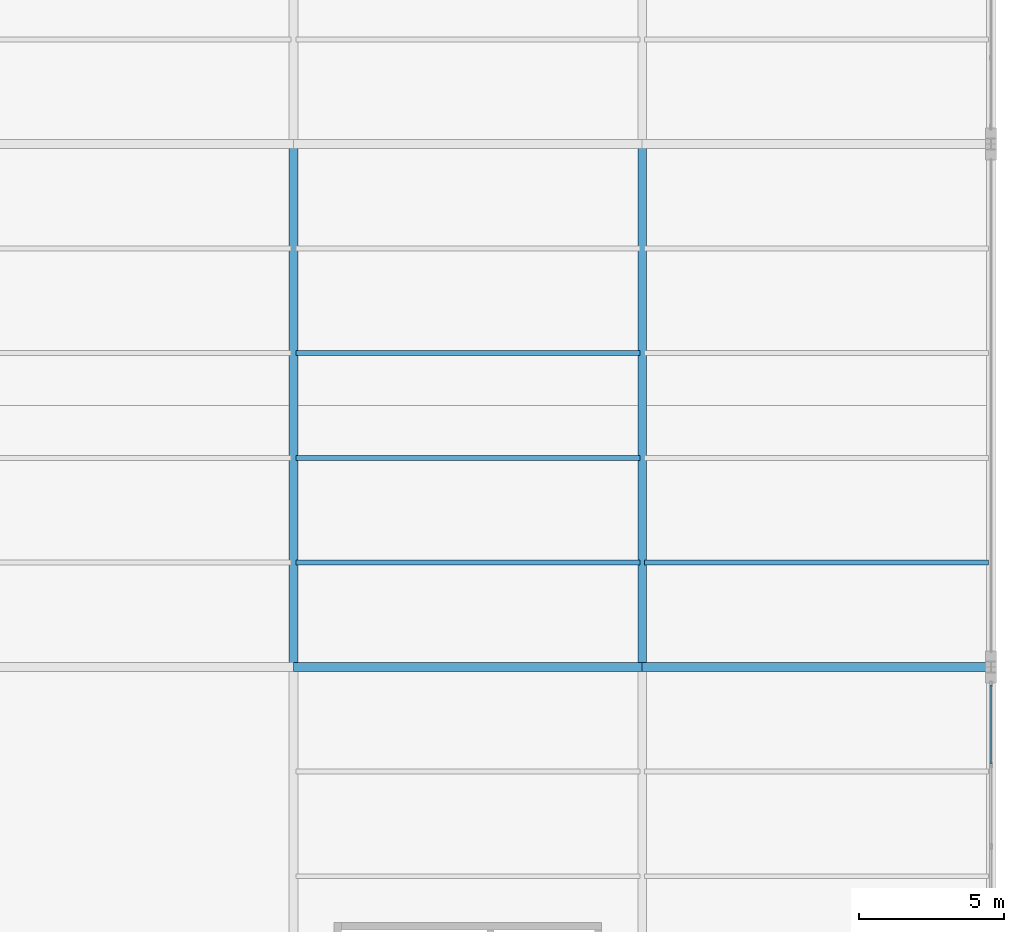
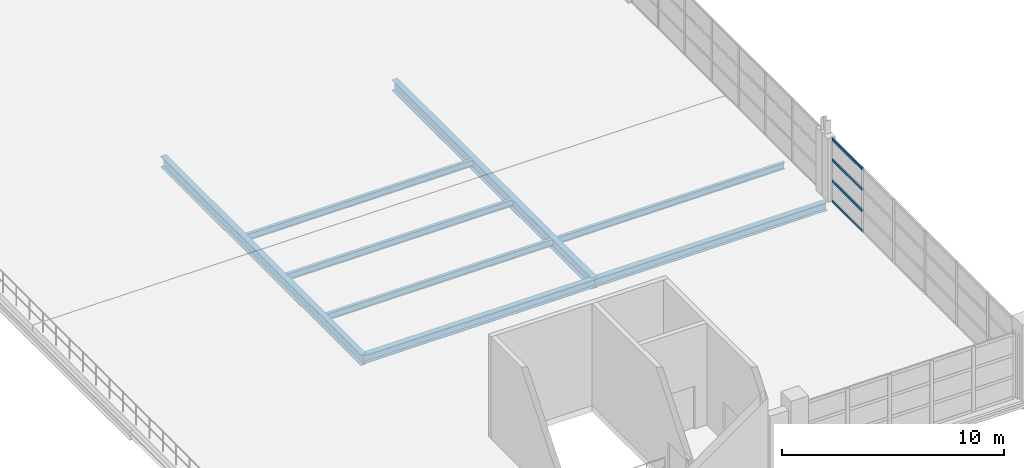
# One storey, part 84 of 158: 8 beams, 4 members, 1 element without a shape of its own.
"""IFC4 building model written with IfcOpenShell, lengths in metres."""

import ifcopenshell
import ifcopenshell.guid

model = None  # the IFC model being written
_history = None  # IfcOwnerHistory: only IFC2X3 demands one
_inside = {}  # id of a spatial element -> (the spatial element, [elements in it])
_under = {}  # id of a project, library or spatial element -> (it, [spatial elements below it])
_declared = {}  # id of a project -> (the project, [libraries it declares])
_typed = {}  # id of a type object -> (the type object, [elements of that type])
_made_of = {}  # id of a material, layer set ... -> (it, [elements and type objects made of it])


def new_model(schema):
    """Start an empty IFC model of exactly this schema.

    Asked for "IFC4X3", IfcOpenShell would pick the latest addendum, in which some entities
    have other attributes; the version numbers below select the first issue.
    IFC2X3 requires an IfcOwnerHistory on every rooted entity: one is made here for all.
    """
    global model, _history
    if schema == "IFC4X3":
        model = ifcopenshell.file(schema_version=(4, 3, 0, 0))
    else:
        model = ifcopenshell.file(schema=schema)
    _inside.clear()
    _under.clear()
    _declared.clear()
    _typed.clear()
    _made_of.clear()
    _history = None
    if model.schema == "IFC2X3":
        org = make("IfcOrganization", Name="unknown")
        user = make(
            "IfcPersonAndOrganization",
            ThePerson=make("IfcPerson", FamilyName="unknown"),
            TheOrganization=org,
        )
        app = make(
            "IfcApplication",
            ApplicationDeveloper=org,
            Version="unknown",
            ApplicationFullName="unknown",
            ApplicationIdentifier="unknown",
        )
        _history = make(
            "IfcOwnerHistory",
            OwningUser=user,
            OwningApplication=app,
            ChangeAction="ADDED",
            CreationDate=0,
        )
    return model


def make(cls, **values):
    """One entity of the class cls with the attributes given. An attribute that is None is left unset."""
    return model.create_entity(
        cls, **{name: value for name, value in values.items() if value is not None}
    )


def rooted(cls, **values):
    """An entity with a GlobalId (a new one), such as an element, a storey or a relation."""
    return make(cls, GlobalId=ifcopenshell.guid.new(), OwnerHistory=_history, **values)


def si_unit(unit_type, name, prefix=None):
    """IfcSIUnit, for example si_unit("LENGTHUNIT", "METRE", prefix="MILLI")."""
    return make("IfcSIUnit", UnitType=unit_type, Prefix=prefix, Name=name)


def assignment(units):
    """IfcUnitAssignment: the units of a project."""
    return None if units is None else make("IfcUnitAssignment", Units=units)


def point(xyz):
    """IfcCartesianPoint."""
    return None if xyz is None else make("IfcCartesianPoint", Coordinates=xyz)


def direction(xyz):
    """IfcDirection."""
    return None if xyz is None else make("IfcDirection", DirectionRatios=xyz)


def frame(location, z_axis=None, x_axis=None):
    """IfcAxis2Placement3D, a coordinate frame: its origin and axes. An axis left out is left unset."""
    return make(
        "IfcAxis2Placement3D",
        Location=point(location),
        Axis=direction(z_axis),
        RefDirection=direction(x_axis),
    )


def frame_2d(location, x_axis=None):
    """IfcAxis2Placement2D, a coordinate frame in the plane: its origin and x axis."""
    return make(
        "IfcAxis2Placement2D", Location=point(location), RefDirection=direction(x_axis)
    )


def origin():
    """The frame at (0, 0, 0) with its axes left unset."""
    return frame((0.0, 0.0, 0.0))


def origin_2d():
    """The frame at (0, 0) in the plane with its x axis left unset."""
    return frame_2d((0.0, 0.0))


def place(relative_to, where):
    """IfcLocalPlacement: puts the frame where relative to a parent placement (None: the world)."""
    return make(
        "IfcLocalPlacement", PlacementRelTo=relative_to, RelativePlacement=where
    )


def context(
    kind, dimensions, precision=None, world=None, true_north=None, identifier=None
):
    """IfcGeometricRepresentationContext, for example the 3D "Model" context."""
    return make(
        "IfcGeometricRepresentationContext",
        ContextIdentifier=identifier,
        ContextType=kind,
        CoordinateSpaceDimension=dimensions,
        Precision=precision,
        WorldCoordinateSystem=world,
        TrueNorth=true_north,
    )


def subcontext(parent, identifier, kind, view, scale=None):
    """IfcGeometricRepresentationSubContext, for example "Body" below "Model"."""
    return make(
        "IfcGeometricRepresentationSubContext",
        ContextIdentifier=identifier,
        ContextType=kind,
        ParentContext=parent,
        TargetScale=scale,
        TargetView=view,
    )


def project(units=None, contexts=None):
    """IfcProject with its units and contexts."""
    return rooted(
        "IfcProject",
        Name="project",
        RepresentationContexts=contexts,
        UnitsInContext=assignment(units),
    )


def spatial(cls, under=None, at=None, **own):
    """A site, building, storey or space (cls), placed at a placement, below another one or the project."""
    s = rooted(cls, ObjectPlacement=at, **own)
    if under is not None:
        _under.setdefault(under.id(), (under, []))[1].append(s)
    return s


def profile(cls, at=None, kind="AREA", **sizes):
    """A parametric profile (cls). Its sizes go by their IFC names, for example OverallWidth=200.0."""
    return make(cls, ProfileType=kind, Position=at, **sizes)


def hollow_rectangle(**sizes):
    """IfcRectangleHollowProfileDef."""
    return profile("IfcRectangleHollowProfileDef", **sizes)


def i_section(**sizes):
    """IfcIShapeProfileDef."""
    return profile("IfcIShapeProfileDef", **sizes)


def extrude(swept, where, along, depth):
    """IfcExtrudedAreaSolid: the profile swept, set in the frame where, extruded along a direction by depth."""
    return make(
        "IfcExtrudedAreaSolid",
        SweptArea=swept,
        Position=where,
        ExtrudedDirection=direction(along),
        Depth=depth,
    )


def shape(context_of_items, identifier, shape_type, items):
    """IfcShapeRepresentation: the items that make up one representation, for example the "Body"."""
    return make(
        "IfcShapeRepresentation",
        ContextOfItems=context_of_items,
        RepresentationIdentifier=identifier,
        RepresentationType=shape_type,
        Items=items,
    )


def material(Name=None, Category=None):
    """IfcMaterial."""
    return make("IfcMaterial", Name=Name, Category=Category)


def layer(
    of_material, thickness, ventilated=None, Name=None, Category=None, Priority=None
):
    """IfcMaterialLayer: one layer of a wall or slab, of a material (None: an air gap)."""
    return make(
        "IfcMaterialLayer",
        Material=of_material,
        LayerThickness=thickness,
        IsVentilated=ventilated,
        Name=Name,
        Category=Category,
        Priority=Priority,
    )


def layer_set(layers, Name=None):
    """IfcMaterialLayerSet."""
    return make("IfcMaterialLayerSet", MaterialLayers=layers, LayerSetName=Name)


def material_profile(
    of_material, cross_section, Name=None, Category=None, Priority=None
):
    """IfcMaterialProfile: a cross section and its material."""
    return make(
        "IfcMaterialProfile",
        Name=Name,
        Material=of_material,
        Profile=cross_section,
        Priority=Priority,
        Category=Category,
    )


def profile_set(profiles, Name=None, composite=None):
    """IfcMaterialProfileSet."""
    return make(
        "IfcMaterialProfileSet",
        Name=Name,
        MaterialProfiles=profiles,
        CompositeProfile=composite,
    )


def made_of(thing, what):
    """Note that an element or type object is made of a material, layer set ...; save() writes the relation."""
    if what is not None:
        _made_of.setdefault(what.id(), (what, []))[1].append(thing)
    return thing


def type_object(cls, material=None, **own):
    """A type object (cls), such as IfcWallType, which elements share."""
    return made_of(rooted(cls, **own), material)


def element(
    cls,
    number,
    at=None,
    inside=None,
    cuts=None,
    type_object=None,
    material=None,
    context=None,
    identifier="Body",
    shape_type=None,
    held_by="IfcProductDefinitionShape",
    body=None,
    shapes=None,
    **own,
):
    """One element of the class cls, such as IfcWall. Its Tag is "e" and its number.

    at: its placement. inside: the storey or other place that contains it. cuts: it is an
    opening in that element (IfcRelVoidsElement). A single representation is given by context,
    identifier, shape_type and body (its items); several are given by shapes. held_by: the class
    of the entity that holds the representations. save() writes the other relations.
    """
    e = rooted(cls, Tag="e%d" % number, ObjectPlacement=at, **own)
    if body is not None:
        shapes = [shape(context, identifier, shape_type, body)]
    if shapes is not None:
        e.Representation = make(held_by, Representations=shapes)
    if inside is not None:
        _inside.setdefault(inside.id(), (inside, []))[1].append(e)
    if cuts is not None:
        rooted(
            "IfcRelVoidsElement", RelatingBuildingElement=cuts, RelatedOpeningElement=e
        )
    if type_object is not None:
        _typed.setdefault(type_object.id(), (type_object, []))[1].append(e)
    return made_of(e, material)


def aggregate(whole, parts):
    """IfcRelAggregates: a whole, such as a stair, and the parts it consists of."""
    return rooted("IfcRelAggregates", RelatingObject=whole, RelatedObjects=parts)


def save(model, path):
    """Write the relations noted so far, then the file.

    IfcRelAggregates (storeys below a building ...), IfcRelContainedInSpatialStructure (elements
    in a storey), IfcRelDefinesByType, IfcRelAssociatesMaterial and IfcRelDeclares: one each for
    every whole, place, type object, material and project.
    """
    for whole, parts in _under.values():
        aggregate(whole, parts)
    for where, things in _inside.values():
        rooted(
            "IfcRelContainedInSpatialStructure",
            RelatedElements=things,
            RelatingStructure=where,
        )
    for kind, things in _typed.values():
        rooted("IfcRelDefinesByType", RelatedObjects=things, RelatingType=kind)
    for what, things in _made_of.values():
        rooted("IfcRelAssociatesMaterial", RelatedObjects=things, RelatingMaterial=what)
    for by, libraries in _declared.values():
        rooted("IfcRelDeclares", RelatingContext=by, RelatedDefinitions=libraries)
    model.write(path)


model = new_model("IFC4")

# Units and contexts
model_context = context("Model", 3, precision=1e-05, world=origin(), true_north=direction((0.0, 1.0)))
body_context = subcontext(model_context, "Body", "Model", "MODEL_VIEW")
ifc_project = project(units=[si_unit("LENGTHUNIT", "METRE"), si_unit("AREAUNIT", "SQUARE_METRE"), si_unit("VOLUMEUNIT", "CUBIC_METRE"), si_unit("PLANEANGLEUNIT", "RADIAN"), si_unit("MASSUNIT", "GRAM", prefix="KILO")], contexts=[model_context])

# Site, building, storey
site_placement = place(None, origin())
site = spatial("IfcSite", under=ifc_project, at=site_placement, CompositionType="ELEMENT")
building_placement = place(site_placement, origin())
building = spatial("IfcBuilding", under=site, at=building_placement, Name="Zilviju Railside Exhibition Hall", CompositionType="ELEMENT")
storey_placement = place(building_placement, frame((0.0, 0.0, 4.199951171875)))
storey = spatial("IfcBuildingStorey", under=building, at=storey_placement, Name="L02", CompositionType="ELEMENT", Elevation=4.199951171875)

# Beams
ifc_material_1 = material(Name="Steel S355J2", Category="steel")
ifc_material_profile_1 = material_profile(ifc_material_1, i_section(OverallWidth=0.300048828125, OverallDepth=0.449951171875, WebThickness=0.013916015625, FlangeThickness=0.02587890625, at=origin_2d()), Name="HEB 450")
ifc_profile_set_1 = profile_set([ifc_material_profile_1], Name="Steel S355J2")
beam_type_1 = type_object("IfcBeamType", Name="BM-HEB450", PredefinedType="BEAM", material=ifc_profile_set_1)
for number, where, z_axis, x_axis, name in (
    (1, (192.0, 18.0, -0.554931640625), (1.0, 0.0, 0.0), (0.0, 1.0, 0.0), "Primary Girder L02 Y=18.0 (192.0..204.0)"),
    (2, (204.0, 18.0, -0.554931640625), (1.0, 0.0, 0.0), (0.0, 1.0, 0.0), "Primary Girder L02 Y=18.0 (204.0..216.0)"),
):
    element("IfcBeam", number, at=place(storey_placement, frame(where, z_axis=z_axis, x_axis=x_axis)), inside=storey, type_object=beam_type_1, Name=name, PredefinedType="BEAM", context=body_context, shape_type="SweptSolid", body=[
        extrude(i_section(OverallWidth=0.300048828125, OverallDepth=0.449951171875, WebThickness=0.013916015625, FlangeThickness=0.02587890625, at=origin_2d()), origin(), (0.0, 0.0, 1.0), 12.0),
    ])
ifc_material_profile_2 = material_profile(ifc_material_1, i_section(OverallWidth=0.300048828125, OverallDepth=0.60009765625, WebThickness=0.015380859375, FlangeThickness=0.030029296875, at=origin_2d()), Name="HEB 600")
ifc_profile_set_2 = profile_set([ifc_material_profile_2], Name="Steel S355J2")
beam_type_2 = type_object("IfcBeamType", Name="BM-HEB600", PredefinedType="BEAM", material=ifc_profile_set_2)
for number, where, z_axis, x_axis, name in (
    (3, (192.0, 18.0, -0.6298828125), (0.0, 1.0, 0.0), (-1.0, 0.0, 0.0), "Transverse Girder L02 X=192.0 (18.0..36.0)"),
    (4, (204.0, 18.0, -0.6298828125), (0.0, 1.0, 0.0), (-1.0, 0.0, 0.0), "Transverse Girder L02 X=204.0 (18.0..36.0)"),
):
    element("IfcBeam", number, at=place(storey_placement, frame(where, z_axis=z_axis, x_axis=x_axis)), inside=storey, type_object=beam_type_2, Name=name, PredefinedType="BEAM", context=body_context, shape_type="SweptSolid", body=[
        extrude(i_section(OverallWidth=0.300048828125, OverallDepth=0.60009765625, WebThickness=0.015380859375, FlangeThickness=0.030029296875, at=origin_2d()), origin(), (0.0, 0.0, 1.0), 18.0),
    ])
ifc_material_profile_3 = material_profile(ifc_material_1, i_section(OverallWidth=0.169921875, OverallDepth=0.360107421875, WebThickness=0.008056640625, FlangeThickness=0.0126953125, at=origin_2d()), Name="IPE 360")
ifc_profile_set_3 = profile_set([ifc_material_profile_3], Name="Steel S355J2")
beam_type_3 = type_object("IfcBeamType", Name="BM-IPE360", PredefinedType="JOIST", material=ifc_profile_set_3)
for number, where, z_axis, x_axis, name in (
    (5, (192.080078125, 21.60009765625, -0.510009765625), (1.0, 0.0, 0.0), (0.0, 1.0, 0.0), "Composite Floor Joist L02 Y=21.60 (192.0..204.0)"),
    (6, (192.080078125, 25.199951171875, -0.510009765625), (1.0, 0.0, 0.0), (0.0, 1.0, 0.0), "Composite Floor Joist L02 Y=25.20 (192.0..204.0)"),
    (7, (192.080078125, 28.800048828125, -0.510009765625), (1.0, 0.0, 0.0), (0.0, 1.0, 0.0), "Composite Floor Joist L02 Y=28.80 (192.0..204.0)"),
    (8, (204.080078125, 21.60009765625, -0.510009765625), (1.0, 0.0, 0.0), (0.0, 1.0, 0.0), "Composite Floor Joist L02 Y=21.60 (204.0..216.0)"),
):
    element("IfcBeam", number, at=place(storey_placement, frame(where, z_axis=z_axis, x_axis=x_axis)), inside=storey, type_object=beam_type_3, Name=name, PredefinedType="JOIST", context=body_context, shape_type="SweptSolid", body=[
        extrude(i_section(OverallWidth=0.169921875, OverallDepth=0.360107421875, WebThickness=0.008056640625, FlangeThickness=0.0126953125, at=origin_2d()), origin(), (0.0, 0.0, 1.0), 11.83984375),
    ])

# Curtain wall, members
ifc_material_2 = material(Name="Thermally broken aluminium-steel triple-glazed curtain wall", Category="steel")
ifc_layer = layer(ifc_material_2, 0.179931640625)
ifc_layer_set = layer_set([ifc_layer], Name="Thermally broken aluminium-steel triple-glazed curtain wall")
curtain_wall_type = type_object("IfcCurtainWallType", Name="CW-BAY-09", PredefinedType="USERDEFINED", material=ifc_layer_set)
curtain_wall_placement = place(storey_placement, origin())
curtain_wall = element("IfcCurtainWall", 9, at=curtain_wall_placement, inside=storey, type_object=curtain_wall_type, Name="South Hall East Glazed Gable L02 (0..18)", ObjectType="GLAZED CURTAIN WALL", PredefinedType="USERDEFINED")
ifc_material_3 = material(Name="Thermally broken anodized aluminium transom", Category="aluminium")
ifc_material_profile_4 = material_profile(ifc_material_3, hollow_rectangle(XDim=0.074951171875, YDim=0.139892578125, WallThickness=0.0048828125, at=origin_2d()), Name="TRANSOM 140x75x5")
ifc_profile_set_4 = profile_set([ifc_material_profile_4], Name="Thermally broken anodized aluminium transom")
member_type = type_object("IfcMemberType", Name="CWT-75x140", PredefinedType="USERDEFINED", material=ifc_profile_set_4)
member_1_placement = place(storey_placement, frame((216.0, 17.375, 0.03759765625), z_axis=(0.0, -1.0, 0.0), x_axis=(1.0, 0.0, 0.0)))
member_1 = element("IfcMember", 10, at=member_1_placement, type_object=member_type, Name="CW-09 transom 1.1", ObjectType="TRANSOM", PredefinedType="USERDEFINED", context=body_context, shape_type="SweptSolid", body=[
    extrude(hollow_rectangle(XDim=0.074951171875, YDim=0.139892578125, WallThickness=0.0048828125, at=origin_2d()), origin(), (0.0, 0.0, 1.0), 2.7041015625),
])
member_2_placement = place(storey_placement, frame((216.0, 17.375, 1.16015625), z_axis=(0.0, -1.0, 0.0), x_axis=(1.0, 0.0, 0.0)))
member_2 = element("IfcMember", 11, at=member_2_placement, type_object=member_type, Name="CW-09 transom 1.2", ObjectType="TRANSOM", PredefinedType="USERDEFINED", context=body_context, shape_type="SweptSolid", body=[
    extrude(hollow_rectangle(XDim=0.074951171875, YDim=0.139892578125, WallThickness=0.0048828125, at=origin_2d()), origin(), (0.0, 0.0, 1.0), 2.7041015625),
])
member_3_placement = place(storey_placement, frame((216.0, 17.375, 2.320068359375), z_axis=(0.0, -1.0, 0.0), x_axis=(1.0, 0.0, 0.0)))
member_3 = element("IfcMember", 12, at=member_3_placement, type_object=member_type, Name="CW-09 transom 1.3", ObjectType="TRANSOM", PredefinedType="USERDEFINED", context=body_context, shape_type="SweptSolid", body=[
    extrude(hollow_rectangle(XDim=0.074951171875, YDim=0.139892578125, WallThickness=0.0048828125, at=origin_2d()), origin(), (0.0, 0.0, 1.0), 2.7041015625),
])
member_4_placement = place(storey_placement, frame((216.0, 17.375, 3.442626953125), z_axis=(0.0, -1.0, 0.0), x_axis=(1.0, 0.0, 0.0)))
member_4 = element("IfcMember", 13, at=member_4_placement, type_object=member_type, Name="CW-09 transom 1.4", ObjectType="TRANSOM", PredefinedType="USERDEFINED", context=body_context, shape_type="SweptSolid", body=[
    extrude(hollow_rectangle(XDim=0.074951171875, YDim=0.139892578125, WallThickness=0.0048828125, at=origin_2d()), origin(), (0.0, 0.0, 1.0), 2.7041015625),
])
aggregate(curtain_wall, [member_1, member_2, member_3, member_4])

save(model, "model.ifc")
